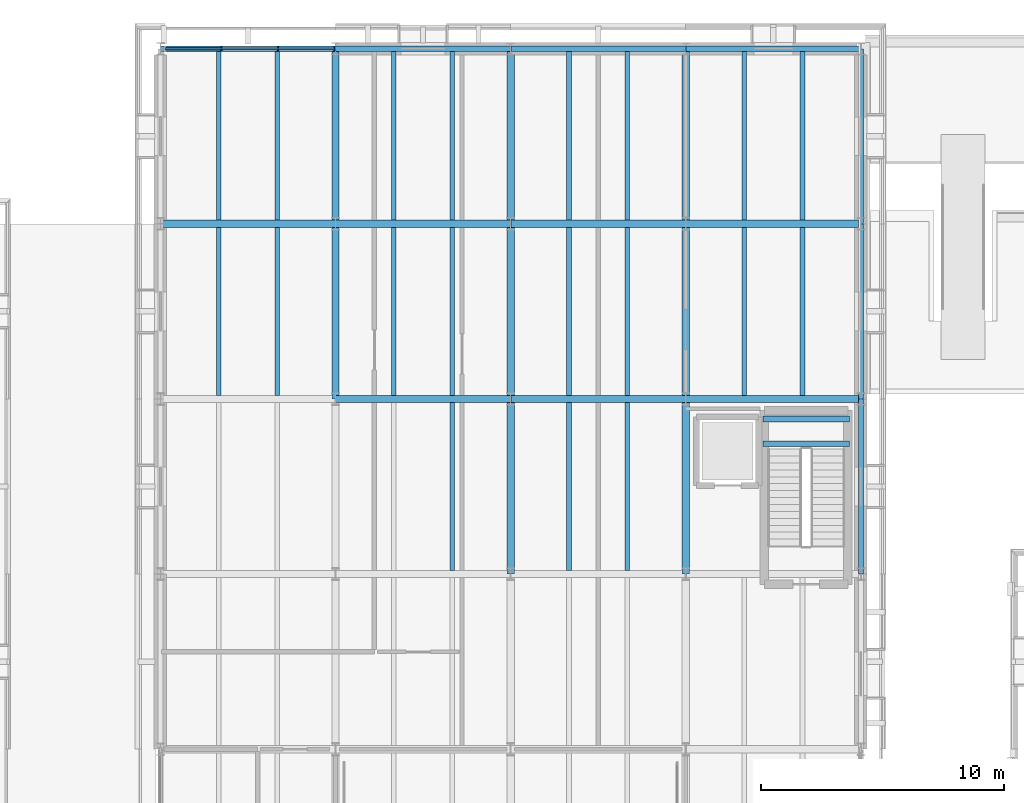
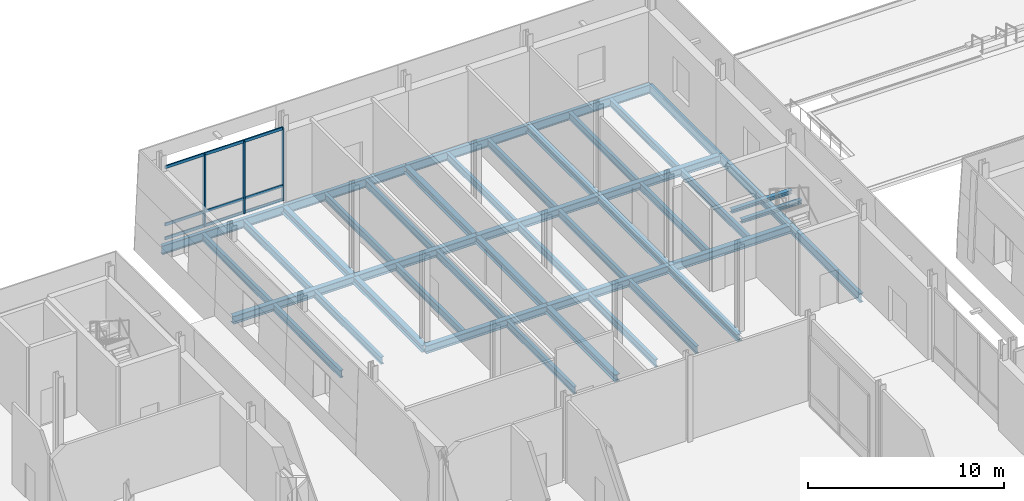
# One storey, part 32 of 120: 43 beams, 6 members, 1 element without a shape of its own.
"""IFC4 building model written with IfcOpenShell, lengths in metres."""

from ifc_helpers import new_model, si_unit, direction, frame, origin, origin_2d, place, context, subcontext, project, spatial, rectangle, i_section, extrude, material, layer, layer_set, material_profile, profile_set, type_object, element, aggregate, save


model = new_model("IFC4")

# Units and contexts
model_context = context("Model", 3, precision=1e-05, world=origin(), true_north=direction((0.0, 1.0)))
body_context = subcontext(model_context, "Body", "Model", "MODEL_VIEW")
ifc_project = project(units=[si_unit("LENGTHUNIT", "METRE"), si_unit("AREAUNIT", "SQUARE_METRE"), si_unit("VOLUMEUNIT", "CUBIC_METRE"), si_unit("PLANEANGLEUNIT", "RADIAN"), si_unit("MASSUNIT", "GRAM", prefix="KILO")], contexts=[model_context])

# Site, building, storey
site_placement = place(None, origin())
site = spatial("IfcSite", under=ifc_project, at=site_placement, CompositionType="ELEMENT")
building_placement = place(site_placement, origin())
building = spatial("IfcBuilding", under=site, at=building_placement, Name="Narikvali Park Central Library", CompositionType="ELEMENT")
storey_placement = place(building_placement, origin())
storey = spatial("IfcBuildingStorey", under=building, at=storey_placement, Name="L00", CompositionType="ELEMENT", Elevation=0.0)

# Beams
ifc_material_1 = material(Name="Steel S355", Category="steel")
ifc_material_profile_1 = material_profile(ifc_material_1, i_section(OverallWidth=0.18994140625, OverallDepth=0.449951171875, WebThickness=0.009521484375, FlangeThickness=0.0146484375, FilletRadius=0.02099609375, at=origin_2d()), Name="IPE 450")
ifc_profile_set_1 = profile_set([ifc_material_profile_1], Name="Steel S355")
beam_type_1 = type_object("IfcBeamType", Name="Composite Floor Joist IPE450", PredefinedType="JOIST", material=ifc_profile_set_1)
for number, where, z_axis, x_axis, name in (
    (1, (31.199951171875, 100.949951171875, -0.544921875), (0.0, 1.0, 0.0), (-1.0, 0.0, 0.0), "V4 L00 Composite Joist 1"),
    (2, (33.60009765625, 100.949951171875, -0.544921875), (0.0, 1.0, 0.0), (-1.0, 0.0, 0.0), "V4 L00 Composite Joist 2"),
):
    element("IfcBeam", number, at=place(storey_placement, frame(where, z_axis=z_axis, x_axis=x_axis)), inside=storey, type_object=beam_type_1, Name=name, PredefinedType="JOIST", context=body_context, shape_type="SweptSolid", body=[
        extrude(i_section(OverallWidth=0.18994140625, OverallDepth=0.449951171875, WebThickness=0.009521484375, FlangeThickness=0.0146484375, FilletRadius=0.02099609375, at=origin_2d()), origin(), (0.0, 0.0, 1.0), 6.900146484375),
    ])
for number, where, z_axis, x_axis, name in (
    (3, (31.199951171875, 108.14990234375, -0.544921875), (0.0, 1.0, 0.0), (-1.0, 0.0, 0.0), "V4 L00 Composite Joist 1"),
    (4, (33.60009765625, 108.14990234375, -0.544921875), (0.0, 1.0, 0.0), (-1.0, 0.0, 0.0), "V4 L00 Composite Joist 2"),
):
    element("IfcBeam", number, at=place(storey_placement, frame(where, z_axis=z_axis, x_axis=x_axis)), inside=storey, type_object=beam_type_1, Name=name, PredefinedType="JOIST", context=body_context, shape_type="SweptSolid", body=[
        extrude(i_section(OverallWidth=0.18994140625, OverallDepth=0.449951171875, WebThickness=0.009521484375, FlangeThickness=0.0146484375, FilletRadius=0.02099609375, at=origin_2d()), origin(), (0.0, 0.0, 1.0), 6.945068359375),
    ])
beam_1_placement = place(storey_placement, frame((40.800048828125, 93.75, -0.544921875), z_axis=(0.0, 1.0, 0.0), x_axis=(-1.0, 0.0, 0.0)))
element("IfcBeam", 5, at=beam_1_placement, inside=storey, type_object=beam_type_1, Name="V4 L00 Composite Joist 2", PredefinedType="JOIST", context=body_context, shape_type="SweptSolid", body=[
    extrude(i_section(OverallWidth=0.18994140625, OverallDepth=0.449951171875, WebThickness=0.009521484375, FlangeThickness=0.0146484375, FilletRadius=0.02099609375, at=origin_2d()), origin(), (0.0, 0.0, 1.0), 6.89990234375),
])
for number, where, z_axis, x_axis, name in (
    (6, (38.39990234375, 100.949951171875, -0.544921875), (0.0, 1.0, 0.0), (-1.0, 0.0, 0.0), "V4 L00 Composite Joist 1"),
    (7, (40.800048828125, 100.949951171875, -0.544921875), (0.0, 1.0, 0.0), (-1.0, 0.0, 0.0), "V4 L00 Composite Joist 2"),
):
    element("IfcBeam", number, at=place(storey_placement, frame(where, z_axis=z_axis, x_axis=x_axis)), inside=storey, type_object=beam_type_1, Name=name, PredefinedType="JOIST", context=body_context, shape_type="SweptSolid", body=[
        extrude(i_section(OverallWidth=0.18994140625, OverallDepth=0.449951171875, WebThickness=0.009521484375, FlangeThickness=0.0146484375, FilletRadius=0.02099609375, at=origin_2d()), origin(), (0.0, 0.0, 1.0), 6.900146484375),
    ])
for number, where, z_axis, x_axis, name in (
    (8, (38.39990234375, 108.14990234375, -0.544921875), (0.0, 1.0, 0.0), (-1.0, 0.0, 0.0), "V4 L00 Composite Joist 1"),
    (9, (40.800048828125, 108.14990234375, -0.544921875), (0.0, 1.0, 0.0), (-1.0, 0.0, 0.0), "V4 L00 Composite Joist 2"),
):
    element("IfcBeam", number, at=place(storey_placement, frame(where, z_axis=z_axis, x_axis=x_axis)), inside=storey, type_object=beam_type_1, Name=name, PredefinedType="JOIST", context=body_context, shape_type="SweptSolid", body=[
        extrude(i_section(OverallWidth=0.18994140625, OverallDepth=0.449951171875, WebThickness=0.009521484375, FlangeThickness=0.0146484375, FilletRadius=0.02099609375, at=origin_2d()), origin(), (0.0, 0.0, 1.0), 6.945068359375),
    ])
for number, where, z_axis, x_axis, name in (
    (10, (45.60009765625, 93.75, -0.544921875), (0.0, 1.0, 0.0), (-1.0, 0.0, 0.0), "V4 L00 Composite Joist 1"),
    (11, (48.0, 93.75, -0.544921875), (0.0, 1.0, 0.0), (-1.0, 0.0, 0.0), "V4 L00 Composite Joist 2"),
):
    element("IfcBeam", number, at=place(storey_placement, frame(where, z_axis=z_axis, x_axis=x_axis)), inside=storey, type_object=beam_type_1, Name=name, PredefinedType="JOIST", context=body_context, shape_type="SweptSolid", body=[
        extrude(i_section(OverallWidth=0.18994140625, OverallDepth=0.449951171875, WebThickness=0.009521484375, FlangeThickness=0.0146484375, FilletRadius=0.02099609375, at=origin_2d()), origin(), (0.0, 0.0, 1.0), 6.89990234375),
    ])
for number, where, z_axis, x_axis, name in (
    (12, (45.60009765625, 100.949951171875, -0.544921875), (0.0, 1.0, 0.0), (-1.0, 0.0, 0.0), "V4 L00 Composite Joist 1"),
    (13, (48.0, 100.949951171875, -0.544921875), (0.0, 1.0, 0.0), (-1.0, 0.0, 0.0), "V4 L00 Composite Joist 2"),
):
    element("IfcBeam", number, at=place(storey_placement, frame(where, z_axis=z_axis, x_axis=x_axis)), inside=storey, type_object=beam_type_1, Name=name, PredefinedType="JOIST", context=body_context, shape_type="SweptSolid", body=[
        extrude(i_section(OverallWidth=0.18994140625, OverallDepth=0.449951171875, WebThickness=0.009521484375, FlangeThickness=0.0146484375, FilletRadius=0.02099609375, at=origin_2d()), origin(), (0.0, 0.0, 1.0), 6.900146484375),
    ])
for number, where, z_axis, x_axis, name in (
    (14, (45.60009765625, 108.14990234375, -0.544921875), (0.0, 1.0, 0.0), (-1.0, 0.0, 0.0), "V4 L00 Composite Joist 1"),
    (15, (48.0, 108.14990234375, -0.544921875), (0.0, 1.0, 0.0), (-1.0, 0.0, 0.0), "V4 L00 Composite Joist 2"),
):
    element("IfcBeam", number, at=place(storey_placement, frame(where, z_axis=z_axis, x_axis=x_axis)), inside=storey, type_object=beam_type_1, Name=name, PredefinedType="JOIST", context=body_context, shape_type="SweptSolid", body=[
        extrude(i_section(OverallWidth=0.18994140625, OverallDepth=0.449951171875, WebThickness=0.009521484375, FlangeThickness=0.0146484375, FilletRadius=0.02099609375, at=origin_2d()), origin(), (0.0, 0.0, 1.0), 6.945068359375),
    ])
for number, where, z_axis, x_axis, name in (
    (16, (52.800048828125, 100.949951171875, -0.544921875), (0.0, 1.0, 0.0), (-1.0, 0.0, 0.0), "V4 L00 Composite Joist 1"),
    (17, (55.199951171875, 100.949951171875, -0.544921875), (0.0, 1.0, 0.0), (-1.0, 0.0, 0.0), "V4 L00 Composite Joist 2"),
):
    element("IfcBeam", number, at=place(storey_placement, frame(where, z_axis=z_axis, x_axis=x_axis)), inside=storey, type_object=beam_type_1, Name=name, PredefinedType="JOIST", context=body_context, shape_type="SweptSolid", body=[
        extrude(i_section(OverallWidth=0.18994140625, OverallDepth=0.449951171875, WebThickness=0.009521484375, FlangeThickness=0.0146484375, FilletRadius=0.02099609375, at=origin_2d()), origin(), (0.0, 0.0, 1.0), 6.900146484375),
    ])
for number, where, z_axis, x_axis, name in (
    (18, (52.800048828125, 108.14990234375, -0.544921875), (0.0, 1.0, 0.0), (-1.0, 0.0, 0.0), "V4 L00 Composite Joist 1"),
    (19, (55.199951171875, 108.14990234375, -0.544921875), (0.0, 1.0, 0.0), (-1.0, 0.0, 0.0), "V4 L00 Composite Joist 2"),
):
    element("IfcBeam", number, at=place(storey_placement, frame(where, z_axis=z_axis, x_axis=x_axis)), inside=storey, type_object=beam_type_1, Name=name, PredefinedType="JOIST", context=body_context, shape_type="SweptSolid", body=[
        extrude(i_section(OverallWidth=0.18994140625, OverallDepth=0.449951171875, WebThickness=0.009521484375, FlangeThickness=0.0146484375, FilletRadius=0.02099609375, at=origin_2d()), origin(), (0.0, 0.0, 1.0), 6.945068359375),
    ])

# Curtain wall, members
ifc_material_2 = material(Name="Anodised Bronze Aluminium", Category="aluminium")
ifc_layer = layer(ifc_material_2, 0.219970703125, Name="Anodised Bronze Aluminium")
ifc_layer_set = layer_set([ifc_layer], Name="Anodised Bronze Aluminium")
curtain_wall_type = type_object("IfcCurtainWallType", Name="Atrium Tall Curtain Wall System", PredefinedType="NOTDEFINED", material=ifc_layer_set)
curtain_wall_placement = place(storey_placement, origin())
curtain_wall = element("IfcCurtainWall", 20, at=curtain_wall_placement, inside=storey, type_object=curtain_wall_type, Name="Atrium Tall Curtain Wall System CW-V4-L00-N-04", PredefinedType="NOTDEFINED")
ifc_material_profile_2 = material_profile(ifc_material_2, rectangle(XDim=0.074951171875, YDim=0.219970703125, at=origin_2d()), Name="CW MULLION 75x220")
ifc_profile_set_2 = profile_set([ifc_material_profile_2], Name="Anodised Bronze Aluminium")
member_type_1 = type_object("IfcMemberType", Name="Curtain Wall Heavy Mullion 75x220", PredefinedType="MULLION", material=ifc_profile_set_2)
member_1_placement = place(storey_placement, frame((35.9619140625, 115.199951171875, -0.010009765625), z_axis=(0.0, 0.0, 1.0), x_axis=(1.0, 0.0, 0.0)))
member_1 = element("IfcMember", 21, at=member_1_placement, type_object=member_type_1, Name="CW-V4-L00-N-04 Mullion 00", PredefinedType="MULLION", context=body_context, shape_type="SweptSolid", body=[
    extrude(rectangle(XDim=0.074951171875, YDim=0.219970703125, at=origin_2d()), origin(), (0.0, 0.0, 1.0), 4.510009765625),
])
member_2_placement = place(storey_placement, frame((33.638671875, 115.199951171875, -0.010009765625), z_axis=(0.0, 0.0, 1.0), x_axis=(1.0, 0.0, 0.0)))
member_2 = element("IfcMember", 22, at=member_2_placement, type_object=member_type_1, Name="CW-V4-L00-N-04 Mullion 01", PredefinedType="MULLION", context=body_context, shape_type="SweptSolid", body=[
    extrude(rectangle(XDim=0.074951171875, YDim=0.219970703125, at=origin_2d()), origin(), (0.0, 0.0, 1.0), 4.510009765625),
])
member_3_placement = place(storey_placement, frame((31.315185546875, 115.199951171875, -0.010009765625), z_axis=(0.0, 0.0, 1.0), x_axis=(1.0, 0.0, 0.0)))
member_3 = element("IfcMember", 23, at=member_3_placement, type_object=member_type_1, Name="CW-V4-L00-N-04 Mullion 02", PredefinedType="MULLION", context=body_context, shape_type="SweptSolid", body=[
    extrude(rectangle(XDim=0.074951171875, YDim=0.219970703125, at=origin_2d()), origin(), (0.0, 0.0, 1.0), 4.510009765625),
])
ifc_material_profile_3 = material_profile(ifc_material_2, rectangle(XDim=0.074951171875, YDim=0.179931640625, at=origin_2d()), Name="CW TRANSOM 75x180")
ifc_profile_set_3 = profile_set([ifc_material_profile_3], Name="Anodised Bronze Aluminium")
member_type_2 = type_object("IfcMemberType", Name="Curtain Wall Heavy Transom 75x180", PredefinedType="USERDEFINED", material=ifc_profile_set_3)
member_4_placement = place(storey_placement, frame((35.9619140625, 115.199951171875, 0.030029296875), z_axis=(-1.0, 0.0, 0.0), x_axis=(0.0, -1.0, 0.0)))
member_4 = element("IfcMember", 24, at=member_4_placement, type_object=member_type_2, Name="CW-V4-L00-N-04 Transom 00", ObjectType="TRANSOM", PredefinedType="USERDEFINED", context=body_context, shape_type="SweptSolid", body=[
    extrude(rectangle(XDim=0.074951171875, YDim=0.179931640625, at=origin_2d()), origin(), (0.0, 0.0, 1.0), 6.969970703125),
])
member_5_placement = place(storey_placement, frame((35.9619140625, 115.199951171875, 0.89990234375), z_axis=(-1.0, 0.0, 0.0), x_axis=(0.0, -1.0, 0.0)))
member_5 = element("IfcMember", 25, at=member_5_placement, type_object=member_type_2, Name="CW-V4-L00-N-04 Transom 01", ObjectType="TRANSOM", PredefinedType="USERDEFINED", context=body_context, shape_type="SweptSolid", body=[
    extrude(rectangle(XDim=0.074951171875, YDim=0.179931640625, at=origin_2d()), origin(), (0.0, 0.0, 1.0), 6.969970703125),
])
member_6_placement = place(storey_placement, frame((35.9619140625, 115.199951171875, 4.469970703125), z_axis=(-1.0, 0.0, 0.0), x_axis=(0.0, -1.0, 0.0)))
member_6 = element("IfcMember", 26, at=member_6_placement, type_object=member_type_2, Name="CW-V4-L00-N-04 Transom 02", ObjectType="TRANSOM", PredefinedType="USERDEFINED", context=body_context, shape_type="SweptSolid", body=[
    extrude(rectangle(XDim=0.074951171875, YDim=0.179931640625, at=origin_2d()), origin(), (0.0, 0.0, 1.0), 6.969970703125),
])
aggregate(curtain_wall, [member_1, member_2, member_3, member_4, member_5, member_6])

# Beams
ifc_material_profile_4 = material_profile(ifc_material_1, i_section(OverallWidth=0.2099609375, OverallDepth=0.550048828125, WebThickness=0.010986328125, FlangeThickness=0.01708984375, FilletRadius=0.02392578125, at=origin_2d()), Name="IPE 550")
ifc_profile_set_4 = profile_set([ifc_material_profile_4], Name="Steel S355")
beam_type_2 = type_object("IfcBeamType", Name="Perimeter Spandrel IPE550", PredefinedType="SPANDREL", material=ifc_profile_set_4)
for number, where, z_axis, x_axis, name in (
    (27, (28.80810546875, 115.199951171875, -0.594970703125), (1.0, 0.0, 0.0), (0.0, 1.0, 0.0), "V4 L00 Girder X"),
    (28, (36.008056640625, 115.199951171875, -0.594970703125), (1.0, 0.0, 0.0), (0.0, 1.0, 0.0), "V4 L00 Girder X"),
):
    element("IfcBeam", number, at=place(storey_placement, frame(where, z_axis=z_axis, x_axis=x_axis)), inside=storey, type_object=beam_type_2, Name=name, PredefinedType="SPANDREL", context=body_context, shape_type="SweptSolid", body=[
        extrude(i_section(OverallWidth=0.2099609375, OverallDepth=0.550048828125, WebThickness=0.010986328125, FlangeThickness=0.01708984375, FilletRadius=0.02392578125, at=origin_2d()), origin(), (0.0, 0.0, 1.0), 7.183837890625),
    ])
for number, where, z_axis, x_axis, name in (
    (29, (43.2080078125, 115.199951171875, -0.594970703125), (1.0, 0.0, 0.0), (0.0, 1.0, 0.0), "V4 L00 Girder X"),
    (30, (50.407958984375, 115.199951171875, -0.594970703125), (1.0, 0.0, 0.0), (0.0, 1.0, 0.0), "V4 L00 Girder X"),
    (31, (57.60009765625, 93.60791015625, -0.594970703125), (0.0, 1.0, 0.0), (-1.0, 0.0, 0.0), "V4 L00 Girder Y"),
):
    element("IfcBeam", number, at=place(storey_placement, frame(where, z_axis=z_axis, x_axis=x_axis)), inside=storey, type_object=beam_type_2, Name=name, PredefinedType="SPANDREL", context=body_context, shape_type="SweptSolid", body=[
        extrude(i_section(OverallWidth=0.2099609375, OverallDepth=0.550048828125, WebThickness=0.010986328125, FlangeThickness=0.01708984375, FilletRadius=0.02392578125, at=origin_2d()), origin(), (0.0, 0.0, 1.0), 7.18408203125),
    ])
for number, where, z_axis, x_axis, name in (
    (32, (57.60009765625, 100.80810546875, -0.594970703125), (0.0, 1.0, 0.0), (-1.0, 0.0, 0.0), "V4 L00 Girder Y"),
    (33, (57.60009765625, 108.008056640625, -0.594970703125), (0.0, 1.0, 0.0), (-1.0, 0.0, 0.0), "V4 L00 Girder Y"),
):
    element("IfcBeam", number, at=place(storey_placement, frame(where, z_axis=z_axis, x_axis=x_axis)), inside=storey, type_object=beam_type_2, Name=name, PredefinedType="SPANDREL", context=body_context, shape_type="SweptSolid", body=[
        extrude(i_section(OverallWidth=0.2099609375, OverallDepth=0.550048828125, WebThickness=0.010986328125, FlangeThickness=0.01708984375, FilletRadius=0.02392578125, at=origin_2d()), origin(), (0.0, 0.0, 1.0), 7.183837890625),
    ])
ifc_material_profile_5 = material_profile(ifc_material_1, i_section(OverallWidth=0.239990234375, OverallDepth=0.22998046875, WebThickness=0.007568359375, FlangeThickness=0.011962890625, FilletRadius=0.02099609375, at=origin_2d()), Name="HEA 240")
ifc_profile_set_5 = profile_set([ifc_material_profile_5], Name="Steel S355")
beam_type_3 = type_object("IfcBeamType", Name="Primary Girder HEA240", PredefinedType="BEAM", material=ifc_profile_set_5)
for number, where, z_axis, x_axis, name in (
    (34, (53.570068359375, 98.9599609375, 2.385009765625), (1.0, 0.0, 0.0), (0.0, 1.0, 0.0), "ST-08 L00 Landing Trimmer Beam 1-1"),
    (35, (53.570068359375, 99.97998046875, 2.385009765625), (1.0, 0.0, 0.0), (0.0, 1.0, 0.0), "ST-08 L00 Landing Trimmer Beam 1-2"),
):
    element("IfcBeam", number, at=place(storey_placement, frame(where, z_axis=z_axis, x_axis=x_axis)), inside=storey, type_object=beam_type_3, Name=name, PredefinedType="BEAM", context=body_context, shape_type="SweptSolid", body=[
        extrude(i_section(OverallWidth=0.239990234375, OverallDepth=0.22998046875, WebThickness=0.007568359375, FlangeThickness=0.011962890625, FilletRadius=0.02099609375, at=origin_2d()), origin(), (0.0, 0.0, 1.0), 3.559814453125),
    ])
ifc_material_profile_6 = material_profile(ifc_material_1, i_section(OverallWidth=0.300048828125, OverallDepth=0.43994140625, WebThickness=0.011474609375, FlangeThickness=0.02099609375, FilletRadius=0.027099609375, at=origin_2d()), Name="HEA 450")
ifc_profile_set_6 = profile_set([ifc_material_profile_6], Name="Steel S355")
beam_type_4 = type_object("IfcBeamType", Name="Primary Girder HEA450", PredefinedType="BEAM", material=ifc_profile_set_6)
for number, where, z_axis, x_axis, name in (
    (36, (36.0, 100.80810546875, -0.5400390625), (0.0, 1.0, 0.0), (-1.0, 0.0, 0.0), "V4 L00 Girder Y"),
    (37, (36.0, 108.008056640625, -0.5400390625), (0.0, 1.0, 0.0), (-1.0, 0.0, 0.0), "V4 L00 Girder Y"),
):
    element("IfcBeam", number, at=place(storey_placement, frame(where, z_axis=z_axis, x_axis=x_axis)), inside=storey, type_object=beam_type_4, Name=name, PredefinedType="BEAM", context=body_context, shape_type="SweptSolid", body=[
        extrude(i_section(OverallWidth=0.300048828125, OverallDepth=0.43994140625, WebThickness=0.011474609375, FlangeThickness=0.02099609375, FilletRadius=0.027099609375, at=origin_2d()), origin(), (0.0, 0.0, 1.0), 7.183837890625),
    ])
beam_2_placement = place(storey_placement, frame((43.199951171875, 93.60791015625, -0.5400390625), z_axis=(0.0, 1.0, 0.0), x_axis=(-1.0, 0.0, 0.0)))
element("IfcBeam", 38, at=beam_2_placement, inside=storey, type_object=beam_type_4, Name="V4 L00 Girder Y", PredefinedType="BEAM", context=body_context, shape_type="SweptSolid", body=[
    extrude(i_section(OverallWidth=0.300048828125, OverallDepth=0.43994140625, WebThickness=0.011474609375, FlangeThickness=0.02099609375, FilletRadius=0.027099609375, at=origin_2d()), origin(), (0.0, 0.0, 1.0), 7.18408203125),
])
for number, where, z_axis, x_axis, name in (
    (39, (43.199951171875, 100.80810546875, -0.5400390625), (0.0, 1.0, 0.0), (-1.0, 0.0, 0.0), "V4 L00 Girder Y"),
    (40, (43.199951171875, 108.008056640625, -0.5400390625), (0.0, 1.0, 0.0), (-1.0, 0.0, 0.0), "V4 L00 Girder Y"),
):
    element("IfcBeam", number, at=place(storey_placement, frame(where, z_axis=z_axis, x_axis=x_axis)), inside=storey, type_object=beam_type_4, Name=name, PredefinedType="BEAM", context=body_context, shape_type="SweptSolid", body=[
        extrude(i_section(OverallWidth=0.300048828125, OverallDepth=0.43994140625, WebThickness=0.011474609375, FlangeThickness=0.02099609375, FilletRadius=0.027099609375, at=origin_2d()), origin(), (0.0, 0.0, 1.0), 7.183837890625),
    ])
beam_3_placement = place(storey_placement, frame((50.39990234375, 93.60791015625, -0.5400390625), z_axis=(0.0, 1.0, 0.0), x_axis=(-1.0, 0.0, 0.0)))
element("IfcBeam", 41, at=beam_3_placement, inside=storey, type_object=beam_type_4, Name="V4 L00 Girder Y", PredefinedType="BEAM", context=body_context, shape_type="SweptSolid", body=[
    extrude(i_section(OverallWidth=0.300048828125, OverallDepth=0.43994140625, WebThickness=0.011474609375, FlangeThickness=0.02099609375, FilletRadius=0.027099609375, at=origin_2d()), origin(), (0.0, 0.0, 1.0), 7.18408203125),
])
for number, where, z_axis, x_axis, name in (
    (42, (50.39990234375, 100.80810546875, -0.5400390625), (0.0, 1.0, 0.0), (-1.0, 0.0, 0.0), "V4 L00 Girder Y"),
    (43, (50.39990234375, 108.008056640625, -0.5400390625), (0.0, 1.0, 0.0), (-1.0, 0.0, 0.0), "V4 L00 Girder Y"),
):
    element("IfcBeam", number, at=place(storey_placement, frame(where, z_axis=z_axis, x_axis=x_axis)), inside=storey, type_object=beam_type_4, Name=name, PredefinedType="BEAM", context=body_context, shape_type="SweptSolid", body=[
        extrude(i_section(OverallWidth=0.300048828125, OverallDepth=0.43994140625, WebThickness=0.011474609375, FlangeThickness=0.02099609375, FilletRadius=0.027099609375, at=origin_2d()), origin(), (0.0, 0.0, 1.0), 7.183837890625),
    ])
ifc_material_profile_7 = material_profile(ifc_material_1, i_section(OverallWidth=0.300048828125, OverallDepth=0.489990234375, WebThickness=0.011962890625, FlangeThickness=0.02294921875, FilletRadius=0.027099609375, at=origin_2d()), Name="HEA 500")
ifc_profile_set_7 = profile_set([ifc_material_profile_7], Name="Steel S355")
beam_type_5 = type_object("IfcBeamType", Name="Primary Girder HEA500", PredefinedType="BEAM", material=ifc_profile_set_7)
beam_4_placement = place(storey_placement, frame((36.008056640625, 100.800048828125, -0.56494140625), z_axis=(1.0, 0.0, 0.0), x_axis=(0.0, 1.0, 0.0)))
element("IfcBeam", 44, at=beam_4_placement, inside=storey, type_object=beam_type_5, Name="V4 L00 Girder X", PredefinedType="BEAM", context=body_context, shape_type="SweptSolid", body=[
    extrude(i_section(OverallWidth=0.300048828125, OverallDepth=0.489990234375, WebThickness=0.011962890625, FlangeThickness=0.02294921875, FilletRadius=0.027099609375, at=origin_2d()), origin(), (0.0, 0.0, 1.0), 7.183837890625),
])
for number, where, z_axis, x_axis, name in (
    (45, (43.2080078125, 100.800048828125, -0.56494140625), (1.0, 0.0, 0.0), (0.0, 1.0, 0.0), "V4 L00 Girder X"),
    (46, (50.407958984375, 100.800048828125, -0.56494140625), (1.0, 0.0, 0.0), (0.0, 1.0, 0.0), "V4 L00 Girder X"),
):
    element("IfcBeam", number, at=place(storey_placement, frame(where, z_axis=z_axis, x_axis=x_axis)), inside=storey, type_object=beam_type_5, Name=name, PredefinedType="BEAM", context=body_context, shape_type="SweptSolid", body=[
        extrude(i_section(OverallWidth=0.300048828125, OverallDepth=0.489990234375, WebThickness=0.011962890625, FlangeThickness=0.02294921875, FilletRadius=0.027099609375, at=origin_2d()), origin(), (0.0, 0.0, 1.0), 7.18408203125),
    ])
for number, where, z_axis, x_axis, name in (
    (47, (28.80810546875, 108.0, -0.56494140625), (1.0, 0.0, 0.0), (0.0, 1.0, 0.0), "V4 L00 Girder X"),
    (48, (36.008056640625, 108.0, -0.56494140625), (1.0, 0.0, 0.0), (0.0, 1.0, 0.0), "V4 L00 Girder X"),
):
    element("IfcBeam", number, at=place(storey_placement, frame(where, z_axis=z_axis, x_axis=x_axis)), inside=storey, type_object=beam_type_5, Name=name, PredefinedType="BEAM", context=body_context, shape_type="SweptSolid", body=[
        extrude(i_section(OverallWidth=0.300048828125, OverallDepth=0.489990234375, WebThickness=0.011962890625, FlangeThickness=0.02294921875, FilletRadius=0.027099609375, at=origin_2d()), origin(), (0.0, 0.0, 1.0), 7.183837890625),
    ])
for number, where, z_axis, x_axis, name in (
    (49, (43.2080078125, 108.0, -0.56494140625), (1.0, 0.0, 0.0), (0.0, 1.0, 0.0), "V4 L00 Girder X"),
    (50, (50.407958984375, 108.0, -0.56494140625), (1.0, 0.0, 0.0), (0.0, 1.0, 0.0), "V4 L00 Girder X"),
):
    element("IfcBeam", number, at=place(storey_placement, frame(where, z_axis=z_axis, x_axis=x_axis)), inside=storey, type_object=beam_type_5, Name=name, PredefinedType="BEAM", context=body_context, shape_type="SweptSolid", body=[
        extrude(i_section(OverallWidth=0.300048828125, OverallDepth=0.489990234375, WebThickness=0.011962890625, FlangeThickness=0.02294921875, FilletRadius=0.027099609375, at=origin_2d()), origin(), (0.0, 0.0, 1.0), 7.18408203125),
    ])

save(model, "model.ifc")
